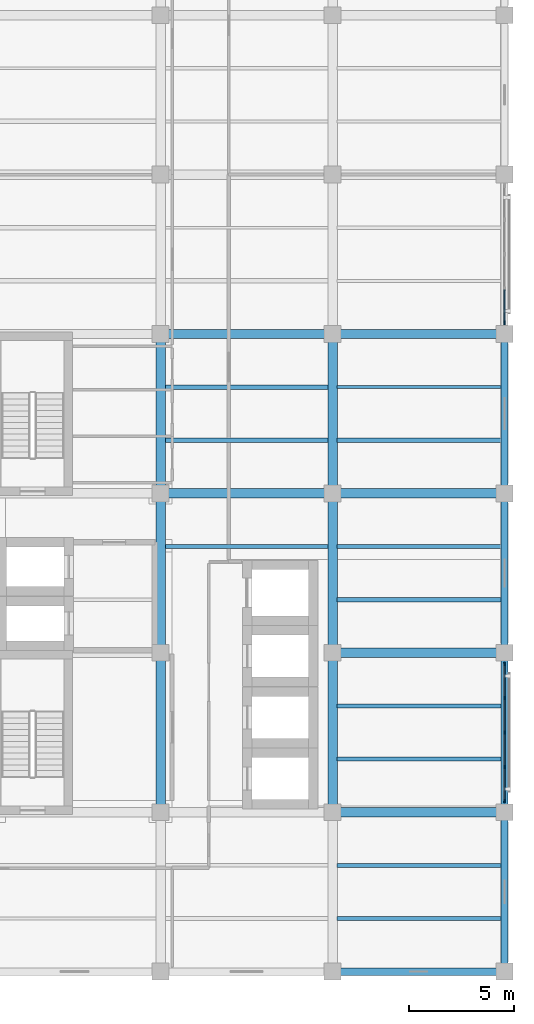
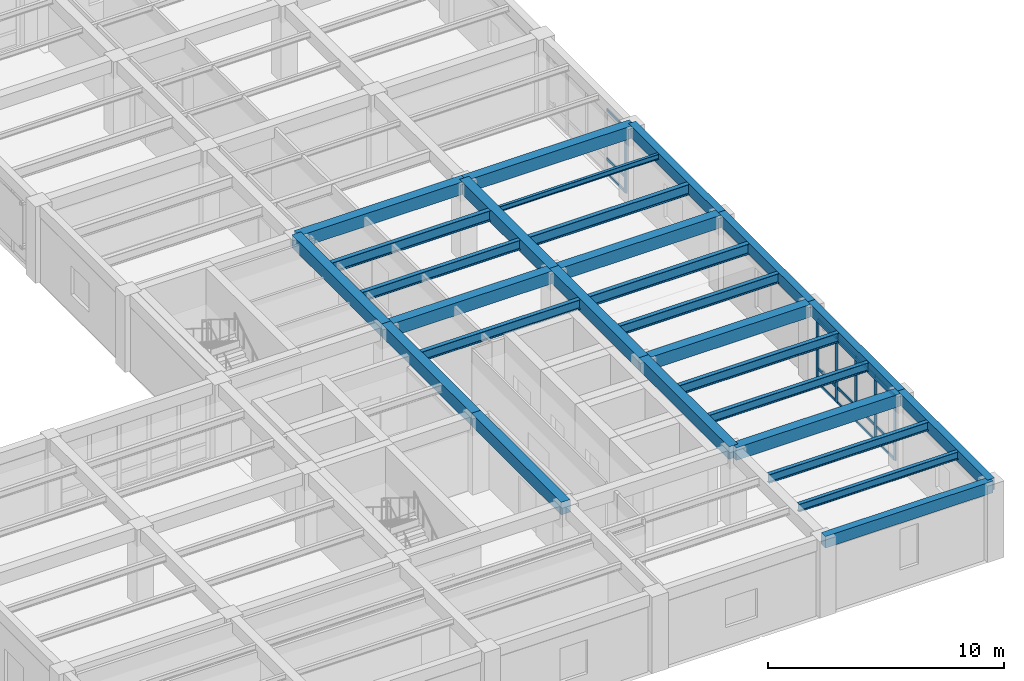
# One storey, part 3 of 14: 28 beams, 21 members, 2 elements without a shape of their own.
"""IFC4 building model written with IfcOpenShell, lengths in metres."""

from ifc_helpers import new_model, si_unit, direction, frame, origin, origin_2d, place, context, subcontext, project, spatial, rectangle, i_section, extrude, material, material_profile, profile_set, type_object, element, aggregate, save


model = new_model("IFC4")

# Units and contexts
model_context = context("Model", 3, precision=1e-05, world=origin(), true_north=direction((0.0, 1.0)))
body_context = subcontext(model_context, "Body", "Model", "MODEL_VIEW")
ifc_project = project(units=[si_unit("LENGTHUNIT", "METRE"), si_unit("AREAUNIT", "SQUARE_METRE"), si_unit("VOLUMEUNIT", "CUBIC_METRE"), si_unit("PLANEANGLEUNIT", "RADIAN"), si_unit("MASSUNIT", "GRAM", prefix="KILO")], contexts=[model_context])

# Site, building, storey
site_placement = place(None, origin())
site = spatial("IfcSite", under=ifc_project, at=site_placement, CompositionType="ELEMENT")
building_placement = place(site_placement, origin())
building = spatial("IfcBuilding", under=site, at=building_placement, Name="Qandaris Square Conservatory and Botanical Centre", CompositionType="ELEMENT")
storey_placement = place(building_placement, frame((0.0, 0.0, 36.60009765625)))
storey = spatial("IfcBuildingStorey", under=building, at=storey_placement, Name="L08", CompositionType="ELEMENT", Elevation=36.60009765625)

# Beams
ifc_material_1 = material(Name="Steel S355", Category="steel")
ifc_material_profile_1 = material_profile(ifc_material_1, i_section(OverallWidth=0.18994140625, OverallDepth=0.449951171875, WebThickness=0.009521484375, FlangeThickness=0.0146484375, FilletRadius=0.02099609375, at=origin_2d()), Name="IPE 450")
ifc_profile_set_1 = profile_set([ifc_material_profile_1], Name="Steel S355")
beam_type_1 = type_object("IfcBeamType", Name="Composite Archive Joist IPE 450", PredefinedType="JOIST", material=ifc_profile_set_1)
for number, where, z_axis, x_axis, name in (
    (1, (155.824951171875, 21.666748046875, 3.71484375), (1.0, 0.0, 0.0), (0.0, 1.0, 0.0), "L08 Composite Joist 2308"),
    (2, (155.824951171875, 26.7333984375, 3.71484375), (1.0, 0.0, 0.0), (0.0, 1.0, 0.0), "L08 Composite Joist 2309"),
):
    element("IfcBeam", number, at=place(storey_placement, frame(where, z_axis=z_axis, x_axis=x_axis)), inside=storey, type_object=beam_type_1, Name=name, PredefinedType="JOIST", context=body_context, shape_type="SweptSolid", body=[
        extrude(i_section(OverallWidth=0.18994140625, OverallDepth=0.449951171875, WebThickness=0.009521484375, FlangeThickness=0.0146484375, FilletRadius=0.02099609375, at=origin_2d()), origin(), (0.0, 0.0, 1.0), 7.800048828125),
    ])
ifc_material_profile_2 = material_profile(ifc_material_1, i_section(OverallWidth=0.199951171875, OverallDepth=0.5, WebThickness=0.01025390625, FlangeThickness=0.01611328125, FilletRadius=0.02099609375, at=origin_2d()), Name="IPE 500")
ifc_profile_set_2 = profile_set([ifc_material_profile_2], Name="Steel S355")
beam_type_2 = type_object("IfcBeamType", Name="Composite Gallery Joist IPE 500", PredefinedType="JOIST", material=ifc_profile_set_2)
for number, where, z_axis, x_axis, name in (
    (3, (147.625, 36.86669921875, 3.68994140625), (1.0, 0.0, 0.0), (0.0, 1.0, 0.0), "L08 Composite Joist 2298"),
    (4, (147.625, 41.933349609375, 3.68994140625), (1.0, 0.0, 0.0), (0.0, 1.0, 0.0), "L08 Composite Joist 2299"),
):
    element("IfcBeam", number, at=place(storey_placement, frame(where, z_axis=z_axis, x_axis=x_axis)), inside=storey, type_object=beam_type_2, Name=name, PredefinedType="JOIST", context=body_context, shape_type="SweptSolid", body=[
        extrude(i_section(OverallWidth=0.199951171875, OverallDepth=0.5, WebThickness=0.01025390625, FlangeThickness=0.01611328125, FilletRadius=0.02099609375, at=origin_2d()), origin(), (0.0, 0.0, 1.0), 7.75),
    ])
for number, where, z_axis, x_axis, name in (
    (5, (155.824951171875, 29.2666015625, 3.68994140625), (1.0, 0.0, 0.0), (0.0, 1.0, 0.0), "L08 Composite Joist 2310"),
    (6, (155.824951171875, 34.333251953125, 3.68994140625), (1.0, 0.0, 0.0), (0.0, 1.0, 0.0), "L08 Composite Joist 2311"),
):
    element("IfcBeam", number, at=place(storey_placement, frame(where, z_axis=z_axis, x_axis=x_axis)), inside=storey, type_object=beam_type_2, Name=name, PredefinedType="JOIST", context=body_context, shape_type="SweptSolid", body=[
        extrude(i_section(OverallWidth=0.199951171875, OverallDepth=0.5, WebThickness=0.01025390625, FlangeThickness=0.01611328125, FilletRadius=0.02099609375, at=origin_2d()), origin(), (0.0, 0.0, 1.0), 7.800048828125),
    ])
ifc_material_profile_3 = material_profile(ifc_material_1, i_section(OverallWidth=0.179931640625, OverallDepth=0.39990234375, WebThickness=0.008544921875, FlangeThickness=0.013427734375, FilletRadius=0.02099609375, at=origin_2d()), Name="IPE 400")
ifc_profile_set_3 = profile_set([ifc_material_profile_3], Name="Steel S355")
beam_type_3 = type_object("IfcBeamType", Name="Composite Plinth Joist IPE 400", PredefinedType="JOIST", material=ifc_profile_set_3)
beam_1_placement = place(storey_placement, frame((155.824951171875, 19.13330078125, 3.739990234375), z_axis=(1.0, 0.0, 0.0), x_axis=(0.0, 1.0, 0.0)))
element("IfcBeam", 7, at=beam_1_placement, inside=storey, type_object=beam_type_3, Name="L08 Composite Joist 2307", PredefinedType="JOIST", context=body_context, shape_type="SweptSolid", body=[
    extrude(i_section(OverallWidth=0.179931640625, OverallDepth=0.39990234375, WebThickness=0.008544921875, FlangeThickness=0.013427734375, FilletRadius=0.02099609375, at=origin_2d()), origin(), (0.0, 0.0, 1.0), 7.800048828125),
])

# Curtain wall, members
ifc_material_2 = material(Name="Anodised Aluminium", Category="aluminium")
curtain_wall_type = type_object("IfcCurtainWallType", Name="Unitised Curtain Wall CW-4-660x335", PredefinedType="USERDEFINED", material=ifc_material_2)
curtain_wall_1_placement = place(storey_placement, origin())
curtain_wall_1 = element("IfcCurtainWall", 8, at=curtain_wall_1_placement, inside=storey, type_object=curtain_wall_type, Name="Curtain Wall CW-TWR-L08-2-2", ObjectType="GLAZED CURTAIN WALL", PredefinedType="USERDEFINED")
ifc_material_profile_4 = material_profile(ifc_material_2, rectangle(XDim=0.06494140625, YDim=0.179931640625, at=origin_2d()), Name="ALU-MUL 65x180")
ifc_profile_set_4 = profile_set([ifc_material_profile_4], Name="Anodised Aluminium")
member_type_1 = type_object("IfcMemberType", Name="Curtain Wall Mullion 65x180", PredefinedType="MULLION", material=ifc_profile_set_4)
member_1_placement = place(storey_placement, frame((163.800048828125, 24.732421875, 0.0), z_axis=(0.0, 0.0, 1.0), x_axis=(-1.0, 0.0, 0.0)))
member_1 = element("IfcMember", 9, at=member_1_placement, type_object=member_type_1, Name="CW-4-660x335 mullion 1", PredefinedType="MULLION", context=body_context, shape_type="SweptSolid", body=[
    extrude(rectangle(XDim=0.06494140625, YDim=0.179931640625, at=origin_2d()), origin(), (0.0, 0.0, 1.0), 3.349853515625),
])
member_2_placement = place(storey_placement, frame((163.800048828125, 26.35009765625, 0.0), z_axis=(0.0, 0.0, 1.0), x_axis=(-1.0, 0.0, 0.0)))
member_2 = element("IfcMember", 10, at=member_2_placement, type_object=member_type_1, Name="CW-4-660x335 mullion 2", PredefinedType="MULLION", context=body_context, shape_type="SweptSolid", body=[
    extrude(rectangle(XDim=0.06494140625, YDim=0.179931640625, at=origin_2d()), origin(), (0.0, 0.0, 1.0), 3.349853515625),
])
member_3_placement = place(storey_placement, frame((163.800048828125, 28.0, 0.0), z_axis=(0.0, 0.0, 1.0), x_axis=(-1.0, 0.0, 0.0)))
member_3 = element("IfcMember", 11, at=member_3_placement, type_object=member_type_1, Name="CW-4-660x335 mullion 3", PredefinedType="MULLION", context=body_context, shape_type="SweptSolid", body=[
    extrude(rectangle(XDim=0.06494140625, YDim=0.179931640625, at=origin_2d()), origin(), (0.0, 0.0, 1.0), 3.349853515625),
])
member_4_placement = place(storey_placement, frame((163.800048828125, 29.64990234375, 0.0), z_axis=(0.0, 0.0, 1.0), x_axis=(-1.0, 0.0, 0.0)))
member_4 = element("IfcMember", 12, at=member_4_placement, type_object=member_type_1, Name="CW-4-660x335 mullion 4", PredefinedType="MULLION", context=body_context, shape_type="SweptSolid", body=[
    extrude(rectangle(XDim=0.06494140625, YDim=0.179931640625, at=origin_2d()), origin(), (0.0, 0.0, 1.0), 3.349853515625),
])
member_5_placement = place(storey_placement, frame((163.800048828125, 31.267578125, 0.0), z_axis=(0.0, 0.0, 1.0), x_axis=(-1.0, 0.0, 0.0)))
member_5 = element("IfcMember", 13, at=member_5_placement, type_object=member_type_1, Name="CW-4-660x335 mullion 5", PredefinedType="MULLION", context=body_context, shape_type="SweptSolid", body=[
    extrude(rectangle(XDim=0.06494140625, YDim=0.179931640625, at=origin_2d()), origin(), (0.0, 0.0, 1.0), 3.349853515625),
])

# Curtain wall, member
curtain_wall_2_placement = place(storey_placement, origin())
curtain_wall_2 = element("IfcCurtainWall", 14, at=curtain_wall_2_placement, inside=storey, type_object=curtain_wall_type, Name="Curtain Wall CW-TWR-L08-2-5", ObjectType="GLAZED CURTAIN WALL", PredefinedType="USERDEFINED")
member_6_placement = place(storey_placement, frame((163.800048828125, 47.532470703125, 0.0), z_axis=(0.0, 0.0, 1.0), x_axis=(-1.0, 0.0, 0.0)))
member_6 = element("IfcMember", 15, at=member_6_placement, type_object=member_type_1, Name="CW-4-660x335 mullion 1", PredefinedType="MULLION", context=body_context, shape_type="SweptSolid", body=[
    extrude(rectangle(XDim=0.06494140625, YDim=0.179931640625, at=origin_2d()), origin(), (0.0, 0.0, 1.0), 3.349853515625),
])

# Member
ifc_material_profile_5 = material_profile(ifc_material_2, rectangle(XDim=0.06494140625, YDim=0.139892578125, at=origin_2d()), Name="ALU-TRN 65x140")
ifc_profile_set_5 = profile_set([ifc_material_profile_5], Name="Anodised Aluminium")
member_type_2 = type_object("IfcMemberType", Name="Curtain Wall Transom 65x140", PredefinedType="USERDEFINED", material=ifc_profile_set_5)
member_7_placement = place(storey_placement, frame((163.800048828125, 24.764892578125, 0.032470703125), z_axis=(0.0, 1.0, 0.0), x_axis=(-1.0, 0.0, 0.0)))
member_7 = element("IfcMember", 16, at=member_7_placement, type_object=member_type_2, Name="CW-4-660x335 transom 1.1", ObjectType="TRANSOM", PredefinedType="USERDEFINED", context=body_context, shape_type="SweptSolid", body=[
    extrude(rectangle(XDim=0.06494140625, YDim=0.139892578125, at=origin_2d()), origin(), (0.0, 0.0, 1.0), 1.552490234375),
])

member_8_placement = place(storey_placement, frame((163.800048828125, 24.764892578125, 0.803955078125), z_axis=(0.0, 1.0, 0.0), x_axis=(-1.0, 0.0, 0.0)))
member_8 = element("IfcMember", 17, at=member_8_placement, type_object=member_type_2, Name="CW-4-660x335 transom 1.2", ObjectType="TRANSOM", PredefinedType="USERDEFINED", context=body_context, shape_type="SweptSolid", body=[
    extrude(rectangle(XDim=0.06494140625, YDim=0.139892578125, at=origin_2d()), origin(), (0.0, 0.0, 1.0), 1.552490234375),
])

member_9_placement = place(storey_placement, frame((163.800048828125, 24.764892578125, 3.3173828125), z_axis=(0.0, 1.0, 0.0), x_axis=(-1.0, 0.0, 0.0)))
member_9 = element("IfcMember", 18, at=member_9_placement, type_object=member_type_2, Name="CW-4-660x335 transom 1.3", ObjectType="TRANSOM", PredefinedType="USERDEFINED", context=body_context, shape_type="SweptSolid", body=[
    extrude(rectangle(XDim=0.06494140625, YDim=0.139892578125, at=origin_2d()), origin(), (0.0, 0.0, 1.0), 1.552490234375),
])

member_10_placement = place(storey_placement, frame((163.800048828125, 26.382568359375, 0.032470703125), z_axis=(0.0, 1.0, 0.0), x_axis=(-1.0, 0.0, 0.0)))
member_10 = element("IfcMember", 19, at=member_10_placement, type_object=member_type_2, Name="CW-4-660x335 transom 2.1", ObjectType="TRANSOM", PredefinedType="USERDEFINED", context=body_context, shape_type="SweptSolid", body=[
    extrude(rectangle(XDim=0.06494140625, YDim=0.139892578125, at=origin_2d()), origin(), (0.0, 0.0, 1.0), 1.5849609375),
])

member_11_placement = place(storey_placement, frame((163.800048828125, 26.382568359375, 0.803955078125), z_axis=(0.0, 1.0, 0.0), x_axis=(-1.0, 0.0, 0.0)))
member_11 = element("IfcMember", 20, at=member_11_placement, type_object=member_type_2, Name="CW-4-660x335 transom 2.2", ObjectType="TRANSOM", PredefinedType="USERDEFINED", context=body_context, shape_type="SweptSolid", body=[
    extrude(rectangle(XDim=0.06494140625, YDim=0.139892578125, at=origin_2d()), origin(), (0.0, 0.0, 1.0), 1.5849609375),
])

member_12_placement = place(storey_placement, frame((163.800048828125, 26.382568359375, 3.3173828125), z_axis=(0.0, 1.0, 0.0), x_axis=(-1.0, 0.0, 0.0)))
member_12 = element("IfcMember", 21, at=member_12_placement, type_object=member_type_2, Name="CW-4-660x335 transom 2.3", ObjectType="TRANSOM", PredefinedType="USERDEFINED", context=body_context, shape_type="SweptSolid", body=[
    extrude(rectangle(XDim=0.06494140625, YDim=0.139892578125, at=origin_2d()), origin(), (0.0, 0.0, 1.0), 1.5849609375),
])

member_13_placement = place(storey_placement, frame((163.800048828125, 28.032470703125, 0.032470703125), z_axis=(0.0, 1.0, 0.0), x_axis=(-1.0, 0.0, 0.0)))
member_13 = element("IfcMember", 22, at=member_13_placement, type_object=member_type_2, Name="CW-4-660x335 transom 3.1", ObjectType="TRANSOM", PredefinedType="USERDEFINED", context=body_context, shape_type="SweptSolid", body=[
    extrude(rectangle(XDim=0.06494140625, YDim=0.139892578125, at=origin_2d()), origin(), (0.0, 0.0, 1.0), 1.5849609375),
])

member_14_placement = place(storey_placement, frame((163.800048828125, 28.032470703125, 0.803955078125), z_axis=(0.0, 1.0, 0.0), x_axis=(-1.0, 0.0, 0.0)))
member_14 = element("IfcMember", 23, at=member_14_placement, type_object=member_type_2, Name="CW-4-660x335 transom 3.2", ObjectType="TRANSOM", PredefinedType="USERDEFINED", context=body_context, shape_type="SweptSolid", body=[
    extrude(rectangle(XDim=0.06494140625, YDim=0.139892578125, at=origin_2d()), origin(), (0.0, 0.0, 1.0), 1.5849609375),
])

member_15_placement = place(storey_placement, frame((163.800048828125, 28.032470703125, 3.3173828125), z_axis=(0.0, 1.0, 0.0), x_axis=(-1.0, 0.0, 0.0)))
member_15 = element("IfcMember", 24, at=member_15_placement, type_object=member_type_2, Name="CW-4-660x335 transom 3.3", ObjectType="TRANSOM", PredefinedType="USERDEFINED", context=body_context, shape_type="SweptSolid", body=[
    extrude(rectangle(XDim=0.06494140625, YDim=0.139892578125, at=origin_2d()), origin(), (0.0, 0.0, 1.0), 1.5849609375),
])

member_16_placement = place(storey_placement, frame((163.800048828125, 29.6826171875, 0.032470703125), z_axis=(0.0, 1.0, 0.0), x_axis=(-1.0, 0.0, 0.0)))
member_16 = element("IfcMember", 25, at=member_16_placement, type_object=member_type_2, Name="CW-4-660x335 transom 4.1", ObjectType="TRANSOM", PredefinedType="USERDEFINED", context=body_context, shape_type="SweptSolid", body=[
    extrude(rectangle(XDim=0.06494140625, YDim=0.139892578125, at=origin_2d()), origin(), (0.0, 0.0, 1.0), 1.552490234375),
])

member_17_placement = place(storey_placement, frame((163.800048828125, 29.6826171875, 0.803955078125), z_axis=(0.0, 1.0, 0.0), x_axis=(-1.0, 0.0, 0.0)))
member_17 = element("IfcMember", 26, at=member_17_placement, type_object=member_type_2, Name="CW-4-660x335 transom 4.2", ObjectType="TRANSOM", PredefinedType="USERDEFINED", context=body_context, shape_type="SweptSolid", body=[
    extrude(rectangle(XDim=0.06494140625, YDim=0.139892578125, at=origin_2d()), origin(), (0.0, 0.0, 1.0), 1.552490234375),
])

member_18_placement = place(storey_placement, frame((163.800048828125, 29.6826171875, 3.3173828125), z_axis=(0.0, 1.0, 0.0), x_axis=(-1.0, 0.0, 0.0)))
member_18 = element("IfcMember", 27, at=member_18_placement, type_object=member_type_2, Name="CW-4-660x335 transom 4.3", ObjectType="TRANSOM", PredefinedType="USERDEFINED", context=body_context, shape_type="SweptSolid", body=[
    extrude(rectangle(XDim=0.06494140625, YDim=0.139892578125, at=origin_2d()), origin(), (0.0, 0.0, 1.0), 1.552490234375),
])

aggregate(curtain_wall_1, [member_1, member_2, member_3, member_4, member_5, member_7, member_8, member_9, member_10, member_11, member_12, member_13, member_14, member_15, member_16, member_17, member_18])

member_19_placement = place(storey_placement, frame((163.800048828125, 47.56494140625, 0.032470703125), z_axis=(0.0, 1.0, 0.0), x_axis=(-1.0, 0.0, 0.0)))
member_19 = element("IfcMember", 28, at=member_19_placement, type_object=member_type_2, Name="CW-4-660x335 transom 1.1", ObjectType="TRANSOM", PredefinedType="USERDEFINED", context=body_context, shape_type="SweptSolid", body=[
    extrude(rectangle(XDim=0.06494140625, YDim=0.139892578125, at=origin_2d()), origin(), (0.0, 0.0, 1.0), 1.552490234375),
])

member_20_placement = place(storey_placement, frame((163.800048828125, 47.56494140625, 0.803955078125), z_axis=(0.0, 1.0, 0.0), x_axis=(-1.0, 0.0, 0.0)))
member_20 = element("IfcMember", 29, at=member_20_placement, type_object=member_type_2, Name="CW-4-660x335 transom 1.2", ObjectType="TRANSOM", PredefinedType="USERDEFINED", context=body_context, shape_type="SweptSolid", body=[
    extrude(rectangle(XDim=0.06494140625, YDim=0.139892578125, at=origin_2d()), origin(), (0.0, 0.0, 1.0), 1.552490234375),
])

member_21_placement = place(storey_placement, frame((163.800048828125, 47.56494140625, 3.3173828125), z_axis=(0.0, 1.0, 0.0), x_axis=(-1.0, 0.0, 0.0)))
member_21 = element("IfcMember", 30, at=member_21_placement, type_object=member_type_2, Name="CW-4-660x335 transom 1.3", ObjectType="TRANSOM", PredefinedType="USERDEFINED", context=body_context, shape_type="SweptSolid", body=[
    extrude(rectangle(XDim=0.06494140625, YDim=0.139892578125, at=origin_2d()), origin(), (0.0, 0.0, 1.0), 1.552490234375),
])

aggregate(curtain_wall_2, [member_6, member_19, member_20, member_21])

# Beams
ifc_material_profile_6 = material_profile(ifc_material_1, i_section(OverallWidth=0.2099609375, OverallDepth=0.550048828125, WebThickness=0.010986328125, FlangeThickness=0.01708984375, FilletRadius=0.02392578125, at=origin_2d()), Name="IPE 550")
ifc_profile_set_6 = profile_set([ifc_material_profile_6], Name="Steel S355")
beam_type_4 = type_object("IfcBeamType", Name="Long-Span Foyer Joist IPE 550", PredefinedType="JOIST", material=ifc_profile_set_6)
beam_2_placement = place(storey_placement, frame((147.625, 44.466796875, 3.664794921875), z_axis=(1.0, 0.0, 0.0), x_axis=(0.0, 1.0, 0.0)))
element("IfcBeam", 31, at=beam_2_placement, inside=storey, type_object=beam_type_4, Name="L08 Composite Joist 2300", PredefinedType="JOIST", context=body_context, shape_type="SweptSolid", body=[
    extrude(i_section(OverallWidth=0.2099609375, OverallDepth=0.550048828125, WebThickness=0.010986328125, FlangeThickness=0.01708984375, FilletRadius=0.02392578125, at=origin_2d()), origin(), (0.0, 0.0, 1.0), 7.75),
])
for number, where, z_axis, x_axis, name in (
    (32, (155.824951171875, 36.86669921875, 3.664794921875), (1.0, 0.0, 0.0), (0.0, 1.0, 0.0), "L08 Composite Joist 2312"),
    (33, (155.824951171875, 41.933349609375, 3.664794921875), (1.0, 0.0, 0.0), (0.0, 1.0, 0.0), "L08 Composite Joist 2313"),
):
    element("IfcBeam", number, at=place(storey_placement, frame(where, z_axis=z_axis, x_axis=x_axis)), inside=storey, type_object=beam_type_4, Name=name, PredefinedType="JOIST", context=body_context, shape_type="SweptSolid", body=[
        extrude(i_section(OverallWidth=0.2099609375, OverallDepth=0.550048828125, WebThickness=0.010986328125, FlangeThickness=0.01708984375, FilletRadius=0.02392578125, at=origin_2d()), origin(), (0.0, 0.0, 1.0), 7.800048828125),
    ])
ifc_material_3 = material(Name="Concrete C50/60", Category="concrete")
ifc_material_profile_7 = material_profile(ifc_material_3, rectangle(XDim=0.35009765625, YDim=0.60009765625, at=origin_2d()), Name="RC-SP 350x600")
ifc_profile_set_7 = profile_set([ifc_material_profile_7], Name="Concrete C50/60")
beam_type_5 = type_object("IfcBeamType", Name="RC Edge Spandrel Beam 350x600", PredefinedType="SPANDREL", material=ifc_profile_set_7)
beam_3_placement = place(storey_placement, frame((155.60009765625, 16.60009765625, 3.64990234375), z_axis=(1.0, 0.0, 0.0), x_axis=(0.0, 1.0, 0.0)))
element("IfcBeam", 34, at=beam_3_placement, inside=storey, type_object=beam_type_5, Name="L08 Frame Beam 2214", PredefinedType="SPANDREL", context=body_context, shape_type="SweptSolid", body=[
    extrude(rectangle(XDim=0.35009765625, YDim=0.60009765625, at=origin_2d()), origin(), (0.0, 0.0, 1.0), 8.199951171875),
])
beam_4_placement = place(storey_placement, frame((163.800048828125, 16.60009765625, 3.64990234375), z_axis=(0.0, 1.0, 0.0), x_axis=(-1.0, 0.0, 0.0)))
element("IfcBeam", 35, at=beam_4_placement, inside=storey, type_object=beam_type_5, Name="L08 Frame Beam 2268", PredefinedType="SPANDREL", context=body_context, shape_type="SweptSolid", body=[
    extrude(rectangle(XDim=0.35009765625, YDim=0.60009765625, at=origin_2d()), origin(), (0.0, 0.0, 1.0), 7.599853515625),
])
beam_5_placement = place(storey_placement, frame((163.800048828125, 24.199951171875, 3.64990234375), z_axis=(0.0, 1.0, 0.0), x_axis=(-1.0, 0.0, 0.0)))
element("IfcBeam", 36, at=beam_5_placement, inside=storey, type_object=beam_type_5, Name="L08 Frame Beam 2269", PredefinedType="SPANDREL", context=body_context, shape_type="SweptSolid", body=[
    extrude(rectangle(XDim=0.35009765625, YDim=0.60009765625, at=origin_2d()), origin(), (0.0, 0.0, 1.0), 7.60009765625),
])
beam_6_placement = place(storey_placement, frame((163.800048828125, 31.800048828125, 3.64990234375), z_axis=(0.0, 1.0, 0.0), x_axis=(-1.0, 0.0, 0.0)))
element("IfcBeam", 37, at=beam_6_placement, inside=storey, type_object=beam_type_5, Name="L08 Frame Beam 2270", PredefinedType="SPANDREL", context=body_context, shape_type="SweptSolid", body=[
    extrude(rectangle(XDim=0.35009765625, YDim=0.60009765625, at=origin_2d()), origin(), (0.0, 0.0, 1.0), 7.599853515625),
])
beam_7_placement = place(storey_placement, frame((163.800048828125, 39.39990234375, 3.64990234375), z_axis=(0.0, 1.0, 0.0), x_axis=(-1.0, 0.0, 0.0)))
element("IfcBeam", 38, at=beam_7_placement, inside=storey, type_object=beam_type_5, Name="L08 Frame Beam 2271", PredefinedType="SPANDREL", context=body_context, shape_type="SweptSolid", body=[
    extrude(rectangle(XDim=0.35009765625, YDim=0.60009765625, at=origin_2d()), origin(), (0.0, 0.0, 1.0), 7.60009765625),
])
ifc_material_profile_8 = material_profile(ifc_material_3, rectangle(XDim=0.449951171875, YDim=0.64990234375, at=origin_2d()), Name="RC-BM 450x650")
ifc_profile_set_8 = profile_set([ifc_material_profile_8], Name="Concrete C50/60")
beam_type_6 = type_object("IfcBeamType", Name="RC Floor Girder 450x650", PredefinedType="BEAM", material=ifc_profile_set_8)
for number, where, z_axis, x_axis, name in (
    (39, (155.60009765625, 24.199951171875, 3.625), (1.0, 0.0, 0.0), (0.0, 1.0, 0.0), "L08 Frame Beam 2219"),
    (40, (155.60009765625, 31.800048828125, 3.625), (1.0, 0.0, 0.0), (0.0, 1.0, 0.0), "L08 Frame Beam 2223"),
):
    element("IfcBeam", number, at=place(storey_placement, frame(where, z_axis=z_axis, x_axis=x_axis)), inside=storey, type_object=beam_type_6, Name=name, PredefinedType="BEAM", context=body_context, shape_type="SweptSolid", body=[
        extrude(rectangle(XDim=0.449951171875, YDim=0.64990234375, at=origin_2d()), origin(), (0.0, 0.0, 1.0), 8.199951171875),
    ])
beam_8_placement = place(storey_placement, frame((147.39990234375, 39.39990234375, 3.625), z_axis=(1.0, 0.0, 0.0), x_axis=(0.0, 1.0, 0.0)))
element("IfcBeam", 41, at=beam_8_placement, inside=storey, type_object=beam_type_6, Name="L08 Frame Beam 2227", PredefinedType="BEAM", context=body_context, shape_type="SweptSolid", body=[
    extrude(rectangle(XDim=0.449951171875, YDim=0.64990234375, at=origin_2d()), origin(), (0.0, 0.0, 1.0), 8.2001953125),
])
beam_9_placement = place(storey_placement, frame((155.60009765625, 39.39990234375, 3.625), z_axis=(1.0, 0.0, 0.0), x_axis=(0.0, 1.0, 0.0)))
element("IfcBeam", 42, at=beam_9_placement, inside=storey, type_object=beam_type_6, Name="L08 Frame Beam 2228", PredefinedType="BEAM", context=body_context, shape_type="SweptSolid", body=[
    extrude(rectangle(XDim=0.449951171875, YDim=0.64990234375, at=origin_2d()), origin(), (0.0, 0.0, 1.0), 8.199951171875),
])
beam_10_placement = place(storey_placement, frame((147.39990234375, 47.0, 3.625), z_axis=(1.0, 0.0, 0.0), x_axis=(0.0, 1.0, 0.0)))
element("IfcBeam", 43, at=beam_10_placement, inside=storey, type_object=beam_type_6, Name="L08 Frame Beam 2230", PredefinedType="BEAM", context=body_context, shape_type="SweptSolid", body=[
    extrude(rectangle(XDim=0.449951171875, YDim=0.64990234375, at=origin_2d()), origin(), (0.0, 0.0, 1.0), 8.2001953125),
])
beam_11_placement = place(storey_placement, frame((155.60009765625, 47.0, 3.625), z_axis=(1.0, 0.0, 0.0), x_axis=(0.0, 1.0, 0.0)))
element("IfcBeam", 44, at=beam_11_placement, inside=storey, type_object=beam_type_6, Name="L08 Frame Beam 2231", PredefinedType="BEAM", context=body_context, shape_type="SweptSolid", body=[
    extrude(rectangle(XDim=0.449951171875, YDim=0.64990234375, at=origin_2d()), origin(), (0.0, 0.0, 1.0), 8.199951171875),
])
beam_12_placement = place(storey_placement, frame((147.39990234375, 24.199951171875, 3.625), z_axis=(0.0, 1.0, 0.0), x_axis=(-1.0, 0.0, 0.0)))
element("IfcBeam", 45, at=beam_12_placement, inside=storey, type_object=beam_type_6, Name="L08 Frame Beam 2255", PredefinedType="BEAM", context=body_context, shape_type="SweptSolid", body=[
    extrude(rectangle(XDim=0.449951171875, YDim=0.64990234375, at=origin_2d()), origin(), (0.0, 0.0, 1.0), 7.60009765625),
])
beam_13_placement = place(storey_placement, frame((147.39990234375, 31.800048828125, 3.625), z_axis=(0.0, 1.0, 0.0), x_axis=(-1.0, 0.0, 0.0)))
element("IfcBeam", 46, at=beam_13_placement, inside=storey, type_object=beam_type_6, Name="L08 Frame Beam 2256", PredefinedType="BEAM", context=body_context, shape_type="SweptSolid", body=[
    extrude(rectangle(XDim=0.449951171875, YDim=0.64990234375, at=origin_2d()), origin(), (0.0, 0.0, 1.0), 7.599853515625),
])
for number, where, z_axis, x_axis, name in (
    (47, (147.39990234375, 39.39990234375, 3.625), (0.0, 1.0, 0.0), (-1.0, 0.0, 0.0), "L08 Frame Beam 2257"),
    (48, (155.60009765625, 24.199951171875, 3.625), (0.0, 1.0, 0.0), (-1.0, 0.0, 0.0), "L08 Frame Beam 2262"),
):
    element("IfcBeam", number, at=place(storey_placement, frame(where, z_axis=z_axis, x_axis=x_axis)), inside=storey, type_object=beam_type_6, Name=name, PredefinedType="BEAM", context=body_context, shape_type="SweptSolid", body=[
        extrude(rectangle(XDim=0.449951171875, YDim=0.64990234375, at=origin_2d()), origin(), (0.0, 0.0, 1.0), 7.60009765625),
    ])
beam_14_placement = place(storey_placement, frame((155.60009765625, 31.800048828125, 3.625), z_axis=(0.0, 1.0, 0.0), x_axis=(-1.0, 0.0, 0.0)))
element("IfcBeam", 49, at=beam_14_placement, inside=storey, type_object=beam_type_6, Name="L08 Frame Beam 2263", PredefinedType="BEAM", context=body_context, shape_type="SweptSolid", body=[
    extrude(rectangle(XDim=0.449951171875, YDim=0.64990234375, at=origin_2d()), origin(), (0.0, 0.0, 1.0), 7.599853515625),
])
beam_15_placement = place(storey_placement, frame((155.60009765625, 39.39990234375, 3.625), z_axis=(0.0, 1.0, 0.0), x_axis=(-1.0, 0.0, 0.0)))
element("IfcBeam", 50, at=beam_15_placement, inside=storey, type_object=beam_type_6, Name="L08 Frame Beam 2264", PredefinedType="BEAM", context=body_context, shape_type="SweptSolid", body=[
    extrude(rectangle(XDim=0.449951171875, YDim=0.64990234375, at=origin_2d()), origin(), (0.0, 0.0, 1.0), 7.60009765625),
])
ifc_material_profile_9 = material_profile(ifc_material_1, i_section(OverallWidth=0.135009765625, OverallDepth=0.27001953125, WebThickness=0.006591796875, FlangeThickness=0.01025390625, FilletRadius=0.014892578125, at=origin_2d()), Name="IPE 270")
ifc_profile_set_9 = profile_set([ifc_material_profile_9], Name="Steel S355")
beam_type_7 = type_object("IfcBeamType", Name="Steel Floor Joist IPE 270", PredefinedType="JOIST", material=ifc_profile_set_9)
beam_16_placement = place(storey_placement, frame((155.824951171875, 44.466796875, 3.804931640625), z_axis=(1.0, 0.0, 0.0), x_axis=(0.0, 1.0, 0.0)))
element("IfcBeam", 51, at=beam_16_placement, inside=storey, type_object=beam_type_7, Name="L08 Composite Joist 2314", PredefinedType="JOIST", context=body_context, shape_type="SweptSolid", body=[
    extrude(i_section(OverallWidth=0.135009765625, OverallDepth=0.27001953125, WebThickness=0.006591796875, FlangeThickness=0.01025390625, FilletRadius=0.014892578125, at=origin_2d()), origin(), (0.0, 0.0, 1.0), 7.800048828125),
])

save(model, "model.ifc")
